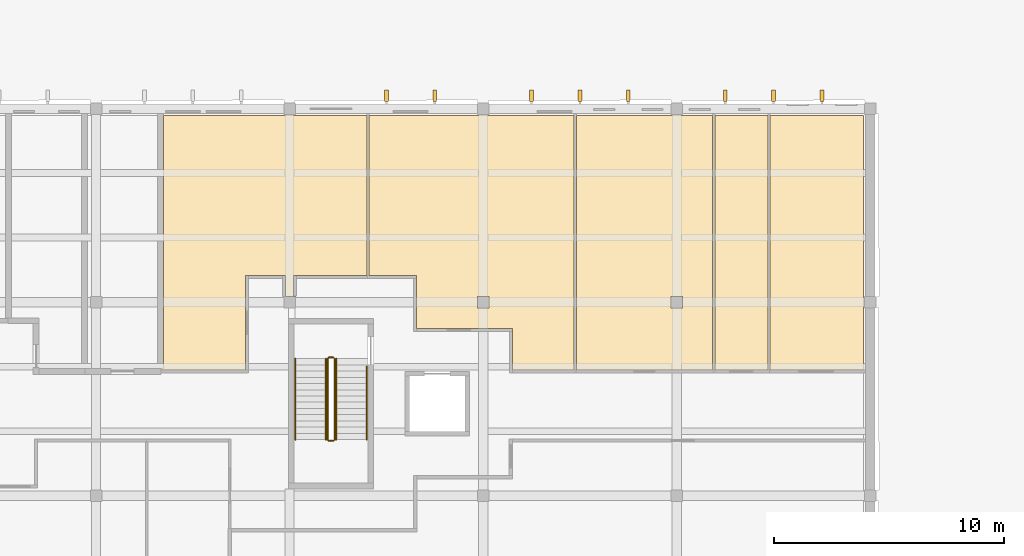
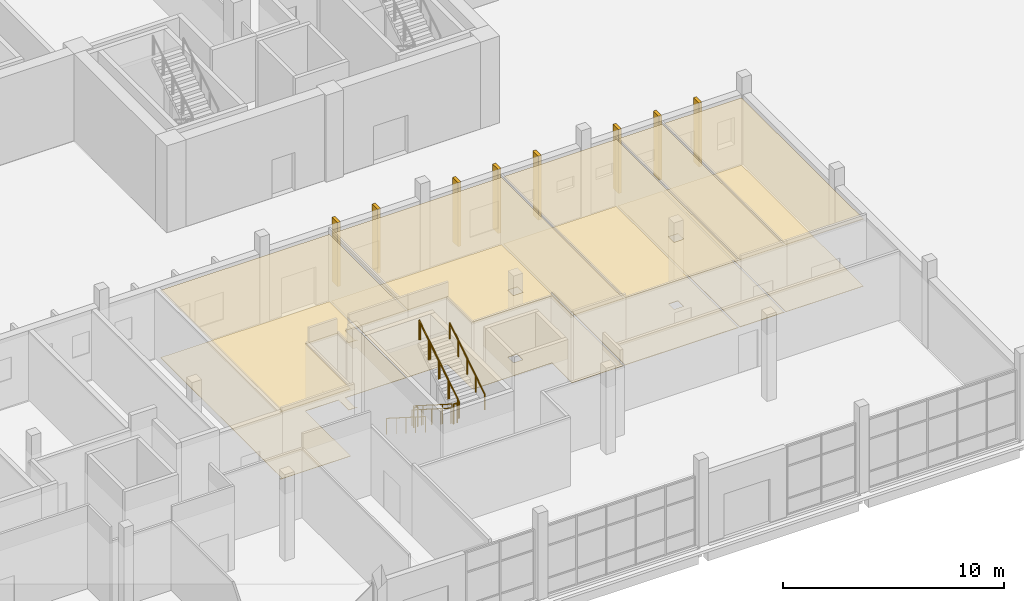
# One storey, part 80 of 110: 18 coverings, 8 railings.
"""IFC4 building model written with IfcOpenShell, lengths in metres."""

from ifc_helpers import new_model, si_unit, direction, frame, origin, origin_2d, place, context, subcontext, project, spatial, polyline, circle, outline, extrude, material, layer, layer_set, type_object, element, save


model = new_model("IFC4")

# Units and contexts
model_context = context("Model", 3, precision=1e-05, world=origin(), true_north=direction((0.0, 1.0)))
body_context = subcontext(model_context, "Body", "Model", "MODEL_VIEW")
ifc_project = project(units=[si_unit("LENGTHUNIT", "METRE"), si_unit("AREAUNIT", "SQUARE_METRE"), si_unit("VOLUMEUNIT", "CUBIC_METRE"), si_unit("PLANEANGLEUNIT", "RADIAN"), si_unit("MASSUNIT", "GRAM", prefix="KILO")], contexts=[model_context])

# Site, building, storey
site_placement = place(None, origin())
site = spatial("IfcSite", under=ifc_project, at=site_placement, CompositionType="ELEMENT")
building_placement = place(site_placement, origin())
building = spatial("IfcBuilding", under=site, at=building_placement, Name="Larchfold Concert Hall", CompositionType="ELEMENT")
storey_placement = place(building_placement, origin())
storey = spatial("IfcBuildingStorey", under=building, at=storey_placement, Name="L00", CompositionType="ELEMENT", Elevation=0.0)

# Coverings
ifc_material_1 = material(Name="Mineral fibre ceiling tile")
ifc_layer_1 = layer(ifc_material_1, 0.02001953125)
ifc_layer_set_1 = layer_set([ifc_layer_1], Name="Mineral fibre ceiling tile")
covering_type_1 = type_object("IfcCoveringType", Name="Ceiling mineral fibre tile 20", PredefinedType="CEILING", material=ifc_layer_set_1)
covering_1_placement = place(storey_placement, frame((0.0, 0.0, 3.719970703125)))
element("IfcCovering", 1, at=covering_1_placement, inside=storey, type_object=covering_type_1, Name="Ceiling Public Toilets 04", PredefinedType="CEILING", context=body_context, shape_type="SweptSolid", body=[
    extrude(outline(polyline([(46.60009765625, 14.465087890625), (52.60009765625, 14.46142578125), (52.550048828125, 14.465087890625), (52.550048828125, 25.5), (46.650146484375, 25.5), (46.650146484375, 14.465087890625), (46.60009765625, 14.465087890625)]), holes=[polyline([(50.75, 17.14990234375), (50.75, 17.64990234375), (51.25, 17.64990234375), (51.25, 17.14990234375), (50.75, 17.14990234375)])]), origin(), (0.0, 0.0, 1.0), 0.02001953125),
])
covering_2_placement = place(storey_placement, frame((0.0, 0.0, 3.719970703125)))
element("IfcCovering", 2, at=covering_2_placement, inside=storey, type_object=covering_type_1, Name="Ceiling Accessible WC 02", PredefinedType="CEILING", context=body_context, shape_type="SweptSolid", body=[
    extrude(outline(polyline([(52.60009765625, 14.465087890625), (55.0, 14.46240234375), (54.949951171875, 14.465087890625), (54.949951171875, 25.5), (52.650146484375, 25.5), (52.650146484375, 14.465087890625), (52.60009765625, 14.465087890625)])), origin(), (0.0, 0.0, 1.0), 0.02001953125),
])
ifc_material_2 = material(Name="Plasterboard ceiling lining")
ifc_layer_2 = layer(ifc_material_2, 0.030029296875)
ifc_layer_set_2 = layer_set([ifc_layer_2], Name="Plasterboard ceiling lining")
covering_type_2 = type_object("IfcCoveringType", Name="Ceiling suspended plasterboard 30", PredefinedType="CEILING", material=ifc_layer_set_2)
covering_3_placement = place(storey_placement, frame((0.0, 0.0, 3.7099609375)))
element("IfcCovering", 3, at=covering_3_placement, inside=storey, type_object=covering_type_2, Name="Ceiling Education Studio 02", PredefinedType="CEILING", context=body_context, shape_type="SweptSolid", body=[
    extrude(outline(polyline([(37.60009765625, 18.5615234375), (39.71142578125, 18.5615234375), (39.71142578125, 16.261474609375), (43.861572265625, 16.261474609375), (43.862548828125, 14.39990234375), (43.862548828125, 14.46142578125), (46.60009765625, 14.46142578125), (46.550048828125, 14.465087890625), (46.550048828125, 25.5), (37.650146484375, 25.5), (37.650146484375, 18.56494140625), (37.60009765625, 18.5615234375)]), holes=[polyline([(42.35009765625, 17.14990234375), (42.35009765625, 17.64990234375), (42.85009765625, 17.64990234375), (42.85009765625, 17.14990234375), (42.35009765625, 17.14990234375)])]), origin(), (0.0, 0.0, 1.0), 0.030029296875),
])
covering_4_placement = place(storey_placement, frame((0.0, 0.0, 3.7099609375)))
element("IfcCovering", 4, at=covering_4_placement, inside=storey, type_object=covering_type_2, Name="Ceiling Education Studio 01", PredefinedType="CEILING", context=body_context, shape_type="SweptSolid", body=[
    extrude(outline(polyline([(28.60009765625, 14.52490234375), (28.6201171875, 14.52392578125), (28.6201171875, 14.46142578125), (32.28759765625, 14.46142578125), (32.28857421875, 18.5615234375), (34.0224609375, 18.5615234375), (34.0224609375, 17.64990234375), (34.449951171875, 17.64990234375), (34.449951171875, 17.61669921875), (34.46337890625, 17.625), (34.463623046875, 17.669921875), (34.37548828125, 17.670166015625), (34.377685546875, 18.561767578125), (37.60009765625, 18.5615234375), (37.550048828125, 18.56494140625), (37.550048828125, 25.5), (28.72509765625, 25.5), (28.72509765625, 14.52490234375), (28.60009765625, 14.52490234375)])), origin(), (0.0, 0.0, 1.0), 0.030029296875),
])
covering_5_placement = place(storey_placement, frame((0.0, 0.0, 3.7099609375)))
element("IfcCovering", 5, at=covering_5_placement, inside=storey, type_object=covering_type_2, Name="Ceiling Cafe Kitchen", PredefinedType="CEILING", context=body_context, shape_type="SweptSolid", body=[
    extrude(outline(polyline([(55.0, 14.465087890625), (59.099853515625, 14.46240234375), (59.099853515625, 25.5), (55.050048828125, 25.5), (55.050048828125, 14.465087890625), (55.0, 14.465087890625)])), origin(), (0.0, 0.0, 1.0), 0.030029296875),
])
ifc_material_3 = material(Name="Ceramic tile")
ifc_layer_3 = layer(ifc_material_3, 0.030029296875)
ifc_layer_set_3 = layer_set([ifc_layer_3], Name="Ceramic tile")
covering_type_3 = type_object("IfcCoveringType", Name="Floor finish ceramic tile 30", PredefinedType="FLOORING", material=ifc_layer_set_3)
covering_6_placement = place(storey_placement, origin())
element("IfcCovering", 6, at=covering_6_placement, inside=storey, type_object=covering_type_3, Name="Floor finish Public Toilets 04", PredefinedType="FLOORING", context=body_context, shape_type="SweptSolid", body=[
    extrude(outline(polyline([(46.60009765625, 14.465087890625), (52.60009765625, 14.46142578125), (52.550048828125, 14.465087890625), (52.550048828125, 25.5), (46.650146484375, 25.5), (46.650146484375, 14.465087890625), (46.60009765625, 14.465087890625)]), holes=[polyline([(50.75, 17.14990234375), (50.75, 17.64990234375), (51.25, 17.64990234375), (51.25, 17.14990234375), (50.75, 17.14990234375)])]), origin(), (0.0, 0.0, 1.0), 0.030029296875),
])
covering_7_placement = place(storey_placement, origin())
element("IfcCovering", 7, at=covering_7_placement, inside=storey, type_object=covering_type_3, Name="Floor finish Accessible WC 02", PredefinedType="FLOORING", context=body_context, shape_type="SweptSolid", body=[
    extrude(outline(polyline([(52.60009765625, 14.465087890625), (55.0, 14.46240234375), (54.949951171875, 14.465087890625), (54.949951171875, 25.5), (52.650146484375, 25.5), (52.650146484375, 14.465087890625), (52.60009765625, 14.465087890625)])), origin(), (0.0, 0.0, 1.0), 0.030029296875),
])
ifc_material_4 = material(Name="Linoleum sheet")
ifc_layer_4 = layer(ifc_material_4, 0.02001953125)
ifc_layer_set_4 = layer_set([ifc_layer_4], Name="Linoleum sheet")
covering_type_4 = type_object("IfcCoveringType", Name="Floor finish vinyl 20", PredefinedType="FLOORING", material=ifc_layer_set_4)
covering_8_placement = place(storey_placement, origin())
element("IfcCovering", 8, at=covering_8_placement, inside=storey, type_object=covering_type_4, Name="Floor finish Education Studio 02", PredefinedType="FLOORING", context=body_context, shape_type="SweptSolid", body=[
    extrude(outline(polyline([(37.60009765625, 18.5615234375), (39.71142578125, 18.5615234375), (39.71142578125, 16.261474609375), (43.861572265625, 16.261474609375), (43.862548828125, 14.39990234375), (43.862548828125, 14.46142578125), (46.60009765625, 14.46142578125), (46.550048828125, 14.465087890625), (46.550048828125, 25.5), (37.650146484375, 25.5), (37.650146484375, 18.56494140625), (37.60009765625, 18.5615234375)]), holes=[polyline([(42.35009765625, 17.14990234375), (42.35009765625, 17.64990234375), (42.85009765625, 17.64990234375), (42.85009765625, 17.14990234375), (42.35009765625, 17.14990234375)])]), origin(), (0.0, 0.0, 1.0), 0.02001953125),
])
covering_9_placement = place(storey_placement, origin())
element("IfcCovering", 9, at=covering_9_placement, inside=storey, type_object=covering_type_4, Name="Floor finish Education Studio 01", PredefinedType="FLOORING", context=body_context, shape_type="SweptSolid", body=[
    extrude(outline(polyline([(28.60009765625, 14.52490234375), (28.6201171875, 14.52392578125), (28.6201171875, 14.46142578125), (32.28759765625, 14.46142578125), (32.28857421875, 18.5615234375), (34.0224609375, 18.5615234375), (34.0224609375, 17.64990234375), (34.449951171875, 17.64990234375), (34.449951171875, 17.61669921875), (34.46337890625, 17.625), (34.463623046875, 17.669921875), (34.37548828125, 17.670166015625), (34.377685546875, 18.561767578125), (37.60009765625, 18.5615234375), (37.550048828125, 18.56494140625), (37.550048828125, 25.5), (28.72509765625, 25.5), (28.72509765625, 14.52490234375), (28.60009765625, 14.52490234375)])), origin(), (0.0, 0.0, 1.0), 0.02001953125),
])
covering_10_placement = place(storey_placement, origin())
element("IfcCovering", 10, at=covering_10_placement, inside=storey, type_object=covering_type_4, Name="Floor finish Cafe Kitchen", PredefinedType="FLOORING", context=body_context, shape_type="SweptSolid", body=[
    extrude(outline(polyline([(55.0, 14.465087890625), (59.099853515625, 14.46240234375), (59.099853515625, 25.5), (55.050048828125, 25.5), (55.050048828125, 14.465087890625), (55.0, 14.465087890625)])), origin(), (0.0, 0.0, 1.0), 0.02001953125),
])
ifc_material_5 = material(Name="Glulam GL30c", Category="wood")
ifc_layer_5 = layer(ifc_material_5, 0.159912109375)
ifc_layer_set_5 = layer_set([ifc_layer_5], Name="Glulam GL30c")
covering_type_5 = type_object("IfcCoveringType", Name="Glulam fin 160x500", PredefinedType="CLADDING", material=ifc_layer_set_5)
covering_11_placement = place(storey_placement, frame((0.0, 0.0, 0.199951171875)))
element("IfcCovering", 11, at=covering_11_placement, inside=storey, type_object=covering_type_5, Name="Glulam fin FN-L00-001", PredefinedType="CLADDING", context=body_context, shape_type="SweptSolid", body=[
    extrude(outline(polyline([(53.179931640625, 26.10009765625), (53.179931640625, 26.60009765625), (53.02001953125, 26.60009765625), (53.02001953125, 26.10009765625), (53.179931640625, 26.10009765625)])), origin(), (0.0, 0.0, 1.0), 3.5400390625),
])
covering_12_placement = place(storey_placement, frame((0.0, 0.0, 0.199951171875)))
element("IfcCovering", 12, at=covering_12_placement, inside=storey, type_object=covering_type_5, Name="Glulam fin FN-L00-002", PredefinedType="CLADDING", context=body_context, shape_type="SweptSolid", body=[
    extrude(outline(polyline([(55.280029296875, 26.10009765625), (55.280029296875, 26.60009765625), (55.1201171875, 26.60009765625), (55.1201171875, 26.10009765625), (55.280029296875, 26.10009765625)])), origin(), (0.0, 0.0, 1.0), 3.5400390625),
])
covering_13_placement = place(storey_placement, frame((0.0, 0.0, 0.199951171875)))
element("IfcCovering", 13, at=covering_13_placement, inside=storey, type_object=covering_type_5, Name="Glulam fin FN-L00-003", PredefinedType="CLADDING", context=body_context, shape_type="SweptSolid", body=[
    extrude(outline(polyline([(57.3798828125, 26.10009765625), (57.3798828125, 26.60009765625), (57.219970703125, 26.60009765625), (57.219970703125, 26.10009765625), (57.3798828125, 26.10009765625)])), origin(), (0.0, 0.0, 1.0), 3.5400390625),
])
covering_14_placement = place(storey_placement, frame((0.0, 0.0, 0.199951171875)))
element("IfcCovering", 14, at=covering_14_placement, inside=storey, type_object=covering_type_5, Name="Glulam fin FN-L00-004", PredefinedType="CLADDING", context=body_context, shape_type="SweptSolid", body=[
    extrude(outline(polyline([(44.780029296875, 26.10009765625), (44.780029296875, 26.60009765625), (44.6201171875, 26.60009765625), (44.6201171875, 26.10009765625), (44.780029296875, 26.10009765625)])), origin(), (0.0, 0.0, 1.0), 3.5400390625),
])
covering_15_placement = place(storey_placement, frame((0.0, 0.0, 0.199951171875)))
element("IfcCovering", 15, at=covering_15_placement, inside=storey, type_object=covering_type_5, Name="Glulam fin FN-L00-005", PredefinedType="CLADDING", context=body_context, shape_type="SweptSolid", body=[
    extrude(outline(polyline([(46.8798828125, 26.10009765625), (46.8798828125, 26.60009765625), (46.719970703125, 26.60009765625), (46.719970703125, 26.10009765625), (46.8798828125, 26.10009765625)])), origin(), (0.0, 0.0, 1.0), 3.5400390625),
])
covering_16_placement = place(storey_placement, frame((0.0, 0.0, 0.199951171875)))
element("IfcCovering", 16, at=covering_16_placement, inside=storey, type_object=covering_type_5, Name="Glulam fin FN-L00-006", PredefinedType="CLADDING", context=body_context, shape_type="SweptSolid", body=[
    extrude(outline(polyline([(48.97998046875, 26.10009765625), (48.97998046875, 26.60009765625), (48.820068359375, 26.60009765625), (48.820068359375, 26.10009765625), (48.97998046875, 26.10009765625)])), origin(), (0.0, 0.0, 1.0), 3.5400390625),
])
covering_17_placement = place(storey_placement, frame((0.0, 0.0, 0.199951171875)))
element("IfcCovering", 17, at=covering_17_placement, inside=storey, type_object=covering_type_5, Name="Glulam fin FN-L00-007", PredefinedType="CLADDING", context=body_context, shape_type="SweptSolid", body=[
    extrude(outline(polyline([(38.47998046875, 26.10009765625), (38.47998046875, 26.60009765625), (38.320068359375, 26.60009765625), (38.320068359375, 26.10009765625), (38.47998046875, 26.10009765625)])), origin(), (0.0, 0.0, 1.0), 3.5400390625),
])
covering_18_placement = place(storey_placement, frame((0.0, 0.0, 0.199951171875)))
element("IfcCovering", 18, at=covering_18_placement, inside=storey, type_object=covering_type_5, Name="Glulam fin FN-L00-008", PredefinedType="CLADDING", context=body_context, shape_type="SweptSolid", body=[
    extrude(outline(polyline([(40.580078125, 26.10009765625), (40.580078125, 26.60009765625), (40.419921875, 26.60009765625), (40.419921875, 26.10009765625), (40.580078125, 26.10009765625)])), origin(), (0.0, 0.0, 1.0), 3.5400390625),
])

# Railings
ifc_material_6 = material(Name="Stainless steel balustrade", Category="steel")
railing_type_1 = type_object("IfcRailingType", Name="Stair guard 1100", PredefinedType="GUARDRAIL", material=ifc_material_6)
railing_1_placement = place(storey_placement, frame((35.849853515625, 14.949951171875, 0.17138671875)))
element("IfcRailing", 19, at=railing_1_placement, inside=storey, type_object=railing_type_1, Name="Guard GR0089", PredefinedType="GUARDRAIL", context=body_context, shape_type="SweptSolid", body=[
    extrude(circle(Radius=0.02392578125, at=origin_2d()), frame((0.0, 0.0, 1.076171875), z_axis=(0.0, -0.844219563411, 0.53599750816), x_axis=(1.0, 0.0, 0.0)), (0.0, 0.0, 1.0), 4.15771484375),
    extrude(circle(Radius=0.02099609375, at=origin_2d()), origin(), (0.0, 0.0, 1.0), 1.052001953125),
    extrude(circle(Radius=0.02099609375, at=origin_2d()), frame((0.0, -0.87744140625, 0.55712890625)), (0.0, 0.0, 1.0), 1.052001953125),
    extrude(circle(Radius=0.02099609375, at=origin_2d()), frame((0.0, -1.7548828125, 1.1142578125)), (0.0, 0.0, 1.0), 1.052001953125),
    extrude(circle(Radius=0.02099609375, at=origin_2d()), frame((0.0, -2.632568359375, 1.67138671875)), (0.0, 0.0, 1.0), 1.052001953125),
    extrude(circle(Radius=0.02099609375, at=origin_2d()), frame((0.0, -3.510009765625, 2.228515625)), (0.0, 0.0, 1.0), 1.052001953125),
])
railing_2_placement = place(storey_placement, frame((35.89990234375, 11.389892578125, 2.39990234375)))
element("IfcRailing", 20, at=railing_2_placement, inside=storey, type_object=railing_type_1, Name="Guard GR0090", PredefinedType="GUARDRAIL", context=body_context, shape_type="SweptSolid", body=[
    extrude(circle(Radius=0.02392578125, at=origin_2d()), frame((0.0, 0.0, 1.076171875), z_axis=(1.0, 0.0, 0.0), x_axis=(0.0, 1.0, 0.0)), (0.0, 0.0, 1.0), 0.199951171875),
    extrude(circle(Radius=0.02099609375, at=origin_2d()), origin(), (0.0, 0.0, 1.0), 1.052001953125),
    extrude(circle(Radius=0.02099609375, at=origin_2d()), frame((0.199951171875, 0.0, 0.0)), (0.0, 0.0, 1.0), 1.052001953125),
])
railing_3_placement = place(storey_placement, frame((36.14990234375, 11.43994140625, 2.571533203125)))
element("IfcRailing", 21, at=railing_3_placement, inside=storey, type_object=railing_type_1, Name="Guard GR0091", PredefinedType="GUARDRAIL", context=body_context, shape_type="SweptSolid", body=[
    extrude(circle(Radius=0.02392578125, at=origin_2d()), frame((0.0, 0.0, 1.076171875), z_axis=(0.0, 0.844219563411, 0.53599750816), x_axis=(-1.0, 0.0, 0.0)), (0.0, 0.0, 1.0), 4.15771484375),
    extrude(circle(Radius=0.02099609375, at=origin_2d()), origin(), (0.0, 0.0, 1.0), 1.052001953125),
    extrude(circle(Radius=0.02099609375, at=origin_2d()), frame((0.0, 0.87744140625, 0.55712890625)), (0.0, 0.0, 1.0), 1.052001953125),
    extrude(circle(Radius=0.02099609375, at=origin_2d()), frame((0.0, 1.7548828125, 1.1142578125)), (0.0, 0.0, 1.0), 1.052001953125),
    extrude(circle(Radius=0.02099609375, at=origin_2d()), frame((0.0, 2.632568359375, 1.67138671875)), (0.0, 0.0, 1.0), 1.052001953125),
    extrude(circle(Radius=0.02099609375, at=origin_2d()), frame((0.0, 3.510009765625, 2.228515625)), (0.0, 0.0, 1.0), 1.052001953125),
])
railing_4_placement = place(storey_placement, frame((35.89990234375, 15.0, 0.0)))
element("IfcRailing", 22, at=railing_4_placement, inside=storey, type_object=railing_type_1, Name="Guard GR0092", PredefinedType="GUARDRAIL", context=body_context, shape_type="SweptSolid", body=[
    extrude(circle(Radius=0.02392578125, at=origin_2d()), frame((0.0, 0.0, 1.076171875), z_axis=(1.0, 0.0, 0.0), x_axis=(0.0, 1.0, 0.0)), (0.0, 0.0, 1.0), 0.199951171875),
    extrude(circle(Radius=0.02099609375, at=origin_2d()), origin(), (0.0, 0.0, 1.0), 1.052001953125),
    extrude(circle(Radius=0.02099609375, at=origin_2d()), frame((0.199951171875, 0.0, 0.0)), (0.0, 0.0, 1.0), 1.052001953125),
])
ifc_material_7 = material(Name="Stainless steel handrail", Category="steel")
railing_type_2 = type_object("IfcRailingType", Name="Stair handrail 900", PredefinedType="HANDRAIL", material=ifc_material_7)
railing_5_placement = place(storey_placement, frame((34.449951171875, 14.949951171875, 0.17138671875)))
element("IfcRailing", 23, at=railing_5_placement, inside=storey, type_object=railing_type_2, Name="Handrail HR0085", PredefinedType="HANDRAIL", context=body_context, shape_type="SweptSolid", body=[
    extrude(circle(Radius=0.02392578125, at=origin_2d()), frame((0.0, 0.0, 0.8759765625), z_axis=(0.0, -0.844219563411, 0.53599750816), x_axis=(1.0, 0.0, 0.0)), (0.0, 0.0, 1.0), 4.15771484375),
    extrude(circle(Radius=0.02099609375, at=origin_2d()), origin(), (0.0, 0.0, 1.0), 0.851806640625),
    extrude(circle(Radius=0.02099609375, at=origin_2d()), frame((0.0, -0.87744140625, 0.55712890625)), (0.0, 0.0, 1.0), 0.851806640625),
    extrude(circle(Radius=0.02099609375, at=origin_2d()), frame((0.0, -1.7548828125, 1.1142578125)), (0.0, 0.0, 1.0), 0.851806640625),
    extrude(circle(Radius=0.02099609375, at=origin_2d()), frame((0.0, -2.632568359375, 1.67138671875)), (0.0, 0.0, 1.0), 0.851806640625),
    extrude(circle(Radius=0.02099609375, at=origin_2d()), frame((0.0, -3.510009765625, 2.228515625)), (0.0, 0.0, 1.0), 0.851806640625),
])
railing_6_placement = place(storey_placement, frame((37.5498046875, 11.43994140625, 2.571533203125)))
element("IfcRailing", 24, at=railing_6_placement, inside=storey, type_object=railing_type_2, Name="Handrail HR0086", PredefinedType="HANDRAIL", context=body_context, shape_type="SweptSolid", body=[
    extrude(circle(Radius=0.02392578125, at=origin_2d()), frame((0.0, 0.0, 0.8759765625), z_axis=(0.0, 0.844224994989, 0.535988953092), x_axis=(-1.0, 0.0, 0.0)), (0.0, 0.0, 1.0), 3.7431640625),
    extrude(circle(Radius=0.02099609375, at=origin_2d()), origin(), (0.0, 0.0, 1.0), 0.851806640625),
    extrude(circle(Radius=0.02099609375, at=origin_2d()), frame((0.0, 0.7900390625, 0.50146484375)), (0.0, 0.0, 1.0), 0.851806640625),
    extrude(circle(Radius=0.02099609375, at=origin_2d()), frame((0.0, 1.580078125, 1.003173828125)), (0.0, 0.0, 1.0), 0.851806640625),
    extrude(circle(Radius=0.02099609375, at=origin_2d()), frame((0.0, 2.3701171875, 1.5048828125)), (0.0, 0.0, 1.0), 0.851806640625),
    extrude(circle(Radius=0.02099609375, at=origin_2d()), frame((0.0, 3.16015625, 2.00634765625)), (0.0, 0.0, 1.0), 0.851806640625),
])
railing_7_placement = place(storey_placement, frame((35.77978515625, 14.949951171875, 0.17138671875)))
element("IfcRailing", 25, at=railing_7_placement, inside=storey, type_object=railing_type_2, Name="Handrail HR0087", PredefinedType="HANDRAIL", context=body_context, shape_type="SweptSolid", body=[
    extrude(circle(Radius=0.02392578125, at=origin_2d()), frame((0.0, 0.0, 0.8759765625), z_axis=(0.0, -0.844219563411, 0.53599750816), x_axis=(1.0, 0.0, 0.0)), (0.0, 0.0, 1.0), 4.15771484375),
    extrude(circle(Radius=0.02099609375, at=origin_2d()), origin(), (0.0, 0.0, 1.0), 0.851806640625),
    extrude(circle(Radius=0.02099609375, at=origin_2d()), frame((0.0, -0.87744140625, 0.55712890625)), (0.0, 0.0, 1.0), 0.851806640625),
    extrude(circle(Radius=0.02099609375, at=origin_2d()), frame((0.0, -1.7548828125, 1.1142578125)), (0.0, 0.0, 1.0), 0.851806640625),
    extrude(circle(Radius=0.02099609375, at=origin_2d()), frame((0.0, -2.632568359375, 1.67138671875)), (0.0, 0.0, 1.0), 0.851806640625),
    extrude(circle(Radius=0.02099609375, at=origin_2d()), frame((0.0, -3.510009765625, 2.228515625)), (0.0, 0.0, 1.0), 0.851806640625),
])
railing_8_placement = place(storey_placement, frame((36.219970703125, 11.43994140625, 2.571533203125)))
element("IfcRailing", 26, at=railing_8_placement, inside=storey, type_object=railing_type_2, Name="Handrail HR0088", PredefinedType="HANDRAIL", context=body_context, shape_type="SweptSolid", body=[
    extrude(circle(Radius=0.02392578125, at=origin_2d()), frame((0.0, 0.0, 0.8759765625), z_axis=(0.0, 0.844219563411, 0.53599750816), x_axis=(-1.0, 0.0, 0.0)), (0.0, 0.0, 1.0), 4.15771484375),
    extrude(circle(Radius=0.02099609375, at=origin_2d()), origin(), (0.0, 0.0, 1.0), 0.851806640625),
    extrude(circle(Radius=0.02099609375, at=origin_2d()), frame((0.0, 0.87744140625, 0.55712890625)), (0.0, 0.0, 1.0), 0.851806640625),
    extrude(circle(Radius=0.02099609375, at=origin_2d()), frame((0.0, 1.7548828125, 1.1142578125)), (0.0, 0.0, 1.0), 0.851806640625),
    extrude(circle(Radius=0.02099609375, at=origin_2d()), frame((0.0, 2.632568359375, 1.67138671875)), (0.0, 0.0, 1.0), 0.851806640625),
    extrude(circle(Radius=0.02099609375, at=origin_2d()), frame((0.0, 3.510009765625, 2.228515625)), (0.0, 0.0, 1.0), 0.851806640625),
])

save(model, "model.ifc")
